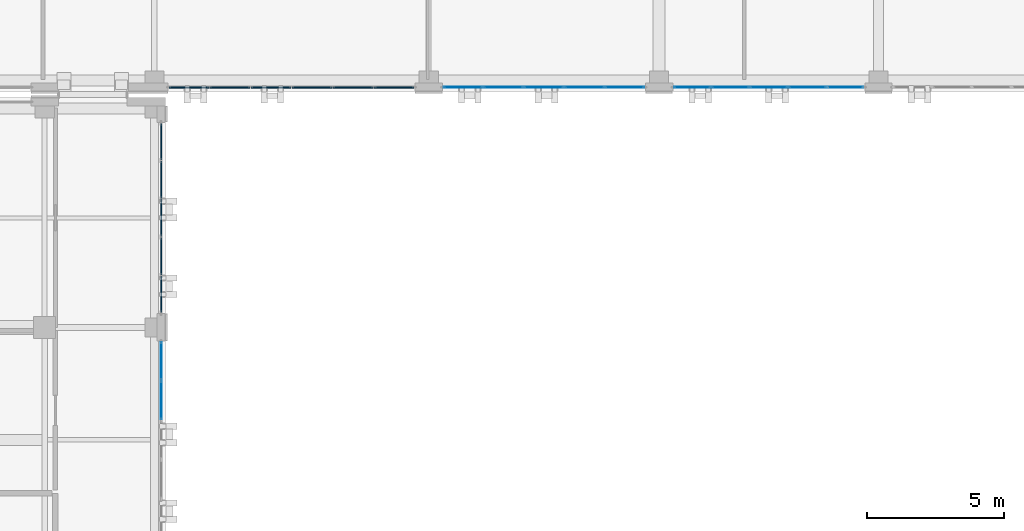
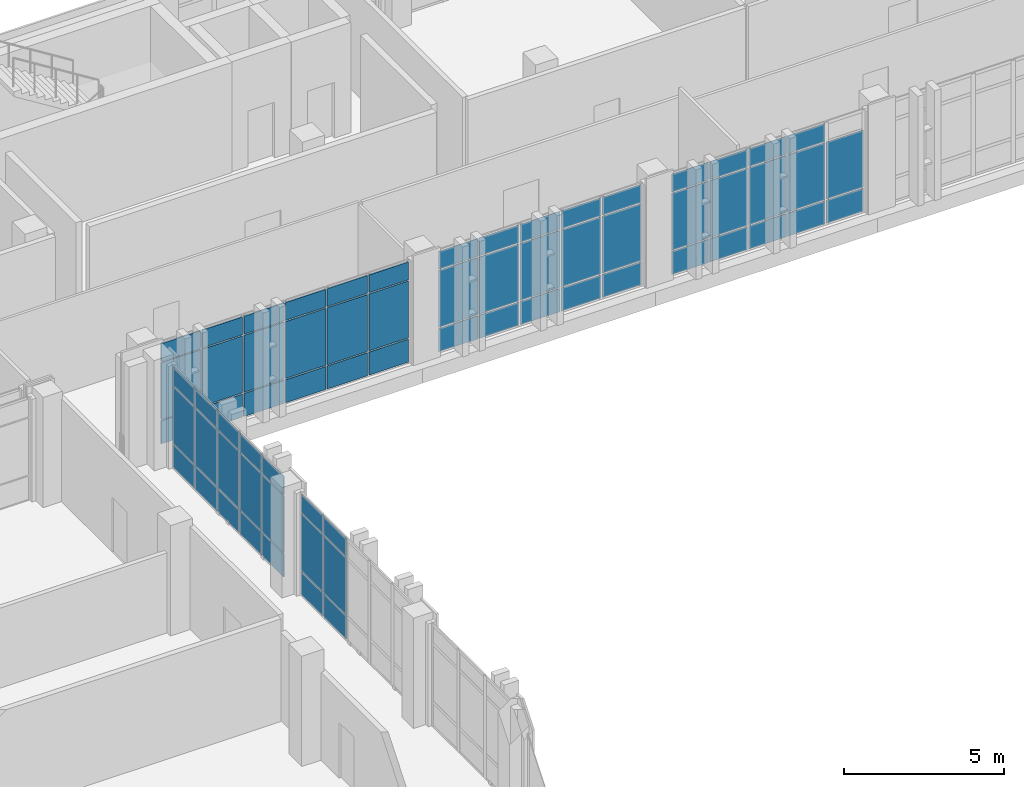
# One storey, part 144 of 193: 68 plates, 5 elements without a shape of their own.
"""IFC4 building model written with IfcOpenShell, lengths in metres."""

from ifc_helpers import new_model, si_unit, direction, frame, origin, origin_2d, place, context, subcontext, project, spatial, rectangle, extrude, material, layer, layer_set, type_object, element, aggregate, save


model = new_model("IFC4")

# Units and contexts
model_context = context("Model", 3, precision=1e-05, world=origin(), true_north=direction((0.0, 1.0)))
body_context = subcontext(model_context, "Body", "Model", "MODEL_VIEW")
ifc_project = project(units=[si_unit("LENGTHUNIT", "METRE"), si_unit("AREAUNIT", "SQUARE_METRE"), si_unit("VOLUMEUNIT", "CUBIC_METRE"), si_unit("PLANEANGLEUNIT", "RADIAN"), si_unit("MASSUNIT", "GRAM", prefix="KILO")], contexts=[model_context])

# Site, building, storey
site_placement = place(None, origin())
site = spatial("IfcSite", under=ifc_project, at=site_placement, CompositionType="ELEMENT")
building_placement = place(site_placement, origin())
building = spatial("IfcBuilding", under=site, at=building_placement, Name="Qalavern Law Courts", CompositionType="ELEMENT")
storey_placement = place(building_placement, frame((0.0, 0.0, 10.199951171875)))
storey = spatial("IfcBuildingStorey", under=building, at=storey_placement, Name="L02", CompositionType="ELEMENT", Elevation=10.199951171875)

# Curtain wall, plates
ifc_material_1 = material(Name="Anodised aluminium and insulated glazing", Category="aluminium")
ifc_layer_1 = layer(ifc_material_1, 0.166015625)
ifc_layer_set_1 = layer_set([ifc_layer_1], Name="Anodised aluminium and insulated glazing")
curtain_wall_type_1 = type_object("IfcCurtainWallType", Name="ENV-CW-LIB", PredefinedType="USERDEFINED", material=ifc_layer_set_1)
curtain_wall_1_placement = place(storey_placement, origin())
curtain_wall_1 = element("IfcCurtainWall", 1, at=curtain_wall_1_placement, inside=storey, type_object=curtain_wall_type_1, Name="V5 unitised curtain wall L02 south 2", ObjectType="UNITISED CURTAIN WALL", PredefinedType="USERDEFINED")
ifc_material_2 = material(Name="Insulated low-E acoustic glazing", Category="glass")
ifc_layer_2 = layer(ifc_material_2, 0.02392578125)
ifc_layer_set_2 = layer_set([ifc_layer_2], Name="Insulated low-E acoustic glazing")
plate_type_1 = type_object("IfcPlateType", Name="ENV-CWP-24", PredefinedType="CURTAIN_PANEL", material=ifc_layer_set_2)
plate_1_placement = place(storey_placement, frame((29.652099609375, 96.35498046875, 0.048095703125), z_axis=(0.0, 0.0, 1.0), x_axis=(1.0, 0.0, 0.0)))
plate_1 = element("IfcPlate", 2, at=plate_1_placement, type_object=plate_type_1, Name="CW-05 panel 1.1", PredefinedType="CURTAIN_PANEL", context=body_context, shape_type="SweptSolid", body=[
    extrude(rectangle(XDim=1.407958984375, YDim=0.02392578125, at=origin_2d()), origin(), (0.0, 0.0, 1.0), 0.8779296875),
])
plate_2_placement = place(storey_placement, frame((29.652099609375, 96.35498046875, 0.97412109375), z_axis=(0.0, 0.0, 1.0), x_axis=(1.0, 0.0, 0.0)))
plate_2 = element("IfcPlate", 3, at=plate_2_placement, type_object=plate_type_1, Name="CW-05 panel 1.2", PredefinedType="CURTAIN_PANEL", context=body_context, shape_type="SweptSolid", body=[
    extrude(rectangle(XDim=1.407958984375, YDim=0.02392578125, at=origin_2d()), origin(), (0.0, 0.0, 1.0), 2.1669921875),
])
plate_3_placement = place(storey_placement, frame((29.652099609375, 96.35498046875, 3.18896484375), z_axis=(0.0, 0.0, 1.0), x_axis=(1.0, 0.0, 0.0)))
plate_3 = element("IfcPlate", 4, at=plate_3_placement, type_object=plate_type_1, Name="CW-05 panel 1.3", PredefinedType="CURTAIN_PANEL", context=body_context, shape_type="SweptSolid", body=[
    extrude(rectangle(XDim=1.407958984375, YDim=0.02392578125, at=origin_2d()), origin(), (0.0, 0.0, 1.0), 0.677978515625),
])
plate_4_placement = place(storey_placement, frame((31.1201171875, 96.35498046875, 0.048095703125), z_axis=(0.0, 0.0, 1.0), x_axis=(1.0, 0.0, 0.0)))
plate_4 = element("IfcPlate", 5, at=plate_4_placement, type_object=plate_type_1, Name="CW-05 panel 2.1", PredefinedType="CURTAIN_PANEL", context=body_context, shape_type="SweptSolid", body=[
    extrude(rectangle(XDim=1.431884765625, YDim=0.02392578125, at=origin_2d()), origin(), (0.0, 0.0, 1.0), 0.8779296875),
])
plate_5_placement = place(storey_placement, frame((31.1201171875, 96.35498046875, 0.97412109375), z_axis=(0.0, 0.0, 1.0), x_axis=(1.0, 0.0, 0.0)))
plate_5 = element("IfcPlate", 6, at=plate_5_placement, type_object=plate_type_1, Name="CW-05 panel 2.2", PredefinedType="CURTAIN_PANEL", context=body_context, shape_type="SweptSolid", body=[
    extrude(rectangle(XDim=1.431884765625, YDim=0.02392578125, at=origin_2d()), origin(), (0.0, 0.0, 1.0), 2.1669921875),
])
plate_6_placement = place(storey_placement, frame((31.1201171875, 96.35498046875, 3.18896484375), z_axis=(0.0, 0.0, 1.0), x_axis=(1.0, 0.0, 0.0)))
plate_6 = element("IfcPlate", 7, at=plate_6_placement, type_object=plate_type_1, Name="CW-05 panel 2.3", PredefinedType="CURTAIN_PANEL", context=body_context, shape_type="SweptSolid", body=[
    extrude(rectangle(XDim=1.431884765625, YDim=0.02392578125, at=origin_2d()), origin(), (0.0, 0.0, 1.0), 0.677978515625),
])
plate_7_placement = place(storey_placement, frame((32.60009765625, 96.35498046875, 0.048095703125), z_axis=(0.0, 0.0, 1.0), x_axis=(1.0, 0.0, 0.0)))
plate_7 = element("IfcPlate", 8, at=plate_7_placement, type_object=plate_type_1, Name="CW-05 panel 3.1", PredefinedType="CURTAIN_PANEL", context=body_context, shape_type="SweptSolid", body=[
    extrude(rectangle(XDim=1.431884765625, YDim=0.02392578125, at=origin_2d()), origin(), (0.0, 0.0, 1.0), 0.8779296875),
])
plate_8_placement = place(storey_placement, frame((32.60009765625, 96.35498046875, 0.97412109375), z_axis=(0.0, 0.0, 1.0), x_axis=(1.0, 0.0, 0.0)))
plate_8 = element("IfcPlate", 9, at=plate_8_placement, type_object=plate_type_1, Name="CW-05 panel 3.2", PredefinedType="CURTAIN_PANEL", context=body_context, shape_type="SweptSolid", body=[
    extrude(rectangle(XDim=1.431884765625, YDim=0.02392578125, at=origin_2d()), origin(), (0.0, 0.0, 1.0), 2.1669921875),
])
plate_9_placement = place(storey_placement, frame((32.60009765625, 96.35498046875, 3.18896484375), z_axis=(0.0, 0.0, 1.0), x_axis=(1.0, 0.0, 0.0)))
plate_9 = element("IfcPlate", 10, at=plate_9_placement, type_object=plate_type_1, Name="CW-05 panel 3.3", PredefinedType="CURTAIN_PANEL", context=body_context, shape_type="SweptSolid", body=[
    extrude(rectangle(XDim=1.431884765625, YDim=0.02392578125, at=origin_2d()), origin(), (0.0, 0.0, 1.0), 0.677978515625),
])
plate_10_placement = place(storey_placement, frame((34.080078125, 96.35498046875, 0.048095703125), z_axis=(0.0, 0.0, 1.0), x_axis=(1.0, 0.0, 0.0)))
plate_10 = element("IfcPlate", 11, at=plate_10_placement, type_object=plate_type_1, Name="CW-05 panel 4.1", PredefinedType="CURTAIN_PANEL", context=body_context, shape_type="SweptSolid", body=[
    extrude(rectangle(XDim=1.431884765625, YDim=0.02392578125, at=origin_2d()), origin(), (0.0, 0.0, 1.0), 0.8779296875),
])
plate_11_placement = place(storey_placement, frame((34.080078125, 96.35498046875, 0.97412109375), z_axis=(0.0, 0.0, 1.0), x_axis=(1.0, 0.0, 0.0)))
plate_11 = element("IfcPlate", 12, at=plate_11_placement, type_object=plate_type_1, Name="CW-05 panel 4.2", PredefinedType="CURTAIN_PANEL", context=body_context, shape_type="SweptSolid", body=[
    extrude(rectangle(XDim=1.431884765625, YDim=0.02392578125, at=origin_2d()), origin(), (0.0, 0.0, 1.0), 2.1669921875),
])
plate_12_placement = place(storey_placement, frame((34.080078125, 96.35498046875, 3.18896484375), z_axis=(0.0, 0.0, 1.0), x_axis=(1.0, 0.0, 0.0)))
plate_12 = element("IfcPlate", 13, at=plate_12_placement, type_object=plate_type_1, Name="CW-05 panel 4.3", PredefinedType="CURTAIN_PANEL", context=body_context, shape_type="SweptSolid", body=[
    extrude(rectangle(XDim=1.431884765625, YDim=0.02392578125, at=origin_2d()), origin(), (0.0, 0.0, 1.0), 0.677978515625),
])
plate_13_placement = place(storey_placement, frame((35.548095703125, 96.35498046875, 0.048095703125), z_axis=(0.0, 0.0, 1.0), x_axis=(1.0, 0.0, 0.0)))
plate_13 = element("IfcPlate", 14, at=plate_13_placement, type_object=plate_type_1, Name="CW-05 panel 5.1", PredefinedType="CURTAIN_PANEL", context=body_context, shape_type="SweptSolid", body=[
    extrude(rectangle(XDim=1.407958984375, YDim=0.02392578125, at=origin_2d()), origin(), (0.0, 0.0, 1.0), 0.8779296875),
])
plate_14_placement = place(storey_placement, frame((35.548095703125, 96.35498046875, 0.97412109375), z_axis=(0.0, 0.0, 1.0), x_axis=(1.0, 0.0, 0.0)))
plate_14 = element("IfcPlate", 15, at=plate_14_placement, type_object=plate_type_1, Name="CW-05 panel 5.2", PredefinedType="CURTAIN_PANEL", context=body_context, shape_type="SweptSolid", body=[
    extrude(rectangle(XDim=1.407958984375, YDim=0.02392578125, at=origin_2d()), origin(), (0.0, 0.0, 1.0), 2.1669921875),
])
plate_15_placement = place(storey_placement, frame((35.548095703125, 96.35498046875, 3.18896484375), z_axis=(0.0, 0.0, 1.0), x_axis=(1.0, 0.0, 0.0)))
plate_15 = element("IfcPlate", 16, at=plate_15_placement, type_object=plate_type_1, Name="CW-05 panel 5.3", PredefinedType="CURTAIN_PANEL", context=body_context, shape_type="SweptSolid", body=[
    extrude(rectangle(XDim=1.407958984375, YDim=0.02392578125, at=origin_2d()), origin(), (0.0, 0.0, 1.0), 0.677978515625),
])
aggregate(curtain_wall_1, [plate_1, plate_2, plate_3, plate_4, plate_5, plate_6, plate_7, plate_8, plate_9, plate_10, plate_11, plate_12, plate_13, plate_14, plate_15])

curtain_wall_2_placement = place(storey_placement, origin())
curtain_wall_2 = element("IfcCurtainWall", 17, at=curtain_wall_2_placement, inside=storey, type_object=curtain_wall_type_1, Name="V5 unitised curtain wall L02 south 3", ObjectType="UNITISED CURTAIN WALL", PredefinedType="USERDEFINED")
ifc_layer_3 = layer(ifc_material_2, 0.028076171875)
ifc_layer_set_3 = layer_set([ifc_layer_3], Name="Insulated low-E acoustic glazing")
plate_type_2 = type_object("IfcPlateType", Name="ENV-CWP-28", PredefinedType="CURTAIN_PANEL", material=ifc_layer_set_3)
plate_16_placement = place(storey_placement, frame((38.011962890625, 96.35498046875, 0.048095703125), z_axis=(0.0, 0.0, 1.0), x_axis=(1.0, 0.0, 0.0)))
plate_16 = element("IfcPlate", 18, at=plate_16_placement, type_object=plate_type_2, Name="CW-05 panel 1.1", PredefinedType="CURTAIN_PANEL", context=body_context, shape_type="SweptSolid", body=[
    extrude(rectangle(XDim=1.327880859375, YDim=0.028076171875, at=origin_2d()), origin(), (0.0, 0.0, 1.0), 0.8779296875),
])
plate_17_placement = place(storey_placement, frame((38.011962890625, 96.35498046875, 0.97412109375), z_axis=(0.0, 0.0, 1.0), x_axis=(1.0, 0.0, 0.0)))
plate_17 = element("IfcPlate", 19, at=plate_17_placement, type_object=plate_type_2, Name="CW-05 panel 1.2", PredefinedType="CURTAIN_PANEL", context=body_context, shape_type="SweptSolid", body=[
    extrude(rectangle(XDim=1.327880859375, YDim=0.028076171875, at=origin_2d()), origin(), (0.0, 0.0, 1.0), 2.1669921875),
])
plate_18_placement = place(storey_placement, frame((38.011962890625, 96.35498046875, 3.18896484375), z_axis=(0.0, 0.0, 1.0), x_axis=(1.0, 0.0, 0.0)))
plate_18 = element("IfcPlate", 20, at=plate_18_placement, type_object=plate_type_2, Name="CW-05 panel 1.3", PredefinedType="CURTAIN_PANEL", context=body_context, shape_type="SweptSolid", body=[
    extrude(rectangle(XDim=1.327880859375, YDim=0.028076171875, at=origin_2d()), origin(), (0.0, 0.0, 1.0), 0.677978515625),
])
plate_19_placement = place(storey_placement, frame((39.39990234375, 96.35498046875, 0.048095703125), z_axis=(0.0, 0.0, 1.0), x_axis=(1.0, 0.0, 0.0)))
plate_19 = element("IfcPlate", 21, at=plate_19_placement, type_object=plate_type_2, Name="CW-05 panel 2.1", PredefinedType="CURTAIN_PANEL", context=body_context, shape_type="SweptSolid", body=[
    extrude(rectangle(XDim=1.35205078125, YDim=0.028076171875, at=origin_2d()), origin(), (0.0, 0.0, 1.0), 0.8779296875),
])
plate_20_placement = place(storey_placement, frame((39.39990234375, 96.35498046875, 0.97412109375), z_axis=(0.0, 0.0, 1.0), x_axis=(1.0, 0.0, 0.0)))
plate_20 = element("IfcPlate", 22, at=plate_20_placement, type_object=plate_type_2, Name="CW-05 panel 2.2", PredefinedType="CURTAIN_PANEL", context=body_context, shape_type="SweptSolid", body=[
    extrude(rectangle(XDim=1.35205078125, YDim=0.028076171875, at=origin_2d()), origin(), (0.0, 0.0, 1.0), 2.1669921875),
])
plate_21_placement = place(storey_placement, frame((39.39990234375, 96.35498046875, 3.18896484375), z_axis=(0.0, 0.0, 1.0), x_axis=(1.0, 0.0, 0.0)))
plate_21 = element("IfcPlate", 23, at=plate_21_placement, type_object=plate_type_2, Name="CW-05 panel 2.3", PredefinedType="CURTAIN_PANEL", context=body_context, shape_type="SweptSolid", body=[
    extrude(rectangle(XDim=1.35205078125, YDim=0.028076171875, at=origin_2d()), origin(), (0.0, 0.0, 1.0), 0.677978515625),
])
plate_22_placement = place(storey_placement, frame((40.800048828125, 96.35498046875, 0.048095703125), z_axis=(0.0, 0.0, 1.0), x_axis=(1.0, 0.0, 0.0)))
plate_22 = element("IfcPlate", 24, at=plate_22_placement, type_object=plate_type_2, Name="CW-05 panel 3.1", PredefinedType="CURTAIN_PANEL", context=body_context, shape_type="SweptSolid", body=[
    extrude(rectangle(XDim=1.35205078125, YDim=0.028076171875, at=origin_2d()), origin(), (0.0, 0.0, 1.0), 0.8779296875),
])
plate_23_placement = place(storey_placement, frame((40.800048828125, 96.35498046875, 0.97412109375), z_axis=(0.0, 0.0, 1.0), x_axis=(1.0, 0.0, 0.0)))
plate_23 = element("IfcPlate", 25, at=plate_23_placement, type_object=plate_type_2, Name="CW-05 panel 3.2", PredefinedType="CURTAIN_PANEL", context=body_context, shape_type="SweptSolid", body=[
    extrude(rectangle(XDim=1.35205078125, YDim=0.028076171875, at=origin_2d()), origin(), (0.0, 0.0, 1.0), 2.1669921875),
])
plate_24_placement = place(storey_placement, frame((40.800048828125, 96.35498046875, 3.18896484375), z_axis=(0.0, 0.0, 1.0), x_axis=(1.0, 0.0, 0.0)))
plate_24 = element("IfcPlate", 26, at=plate_24_placement, type_object=plate_type_2, Name="CW-05 panel 3.3", PredefinedType="CURTAIN_PANEL", context=body_context, shape_type="SweptSolid", body=[
    extrude(rectangle(XDim=1.35205078125, YDim=0.028076171875, at=origin_2d()), origin(), (0.0, 0.0, 1.0), 0.677978515625),
])
plate_25_placement = place(storey_placement, frame((42.199951171875, 96.35498046875, 0.048095703125), z_axis=(0.0, 0.0, 1.0), x_axis=(1.0, 0.0, 0.0)))
plate_25 = element("IfcPlate", 27, at=plate_25_placement, type_object=plate_type_2, Name="CW-05 panel 4.1", PredefinedType="CURTAIN_PANEL", context=body_context, shape_type="SweptSolid", body=[
    extrude(rectangle(XDim=1.35205078125, YDim=0.028076171875, at=origin_2d()), origin(), (0.0, 0.0, 1.0), 0.8779296875),
])
plate_26_placement = place(storey_placement, frame((42.199951171875, 96.35498046875, 0.97412109375), z_axis=(0.0, 0.0, 1.0), x_axis=(1.0, 0.0, 0.0)))
plate_26 = element("IfcPlate", 28, at=plate_26_placement, type_object=plate_type_2, Name="CW-05 panel 4.2", PredefinedType="CURTAIN_PANEL", context=body_context, shape_type="SweptSolid", body=[
    extrude(rectangle(XDim=1.35205078125, YDim=0.028076171875, at=origin_2d()), origin(), (0.0, 0.0, 1.0), 2.1669921875),
])
plate_27_placement = place(storey_placement, frame((42.199951171875, 96.35498046875, 3.18896484375), z_axis=(0.0, 0.0, 1.0), x_axis=(1.0, 0.0, 0.0)))
plate_27 = element("IfcPlate", 29, at=plate_27_placement, type_object=plate_type_2, Name="CW-05 panel 4.3", PredefinedType="CURTAIN_PANEL", context=body_context, shape_type="SweptSolid", body=[
    extrude(rectangle(XDim=1.35205078125, YDim=0.028076171875, at=origin_2d()), origin(), (0.0, 0.0, 1.0), 0.677978515625),
])
plate_28_placement = place(storey_placement, frame((43.587890625, 96.35498046875, 0.048095703125), z_axis=(0.0, 0.0, 1.0), x_axis=(1.0, 0.0, 0.0)))
plate_28 = element("IfcPlate", 30, at=plate_28_placement, type_object=plate_type_2, Name="CW-05 panel 5.1", PredefinedType="CURTAIN_PANEL", context=body_context, shape_type="SweptSolid", body=[
    extrude(rectangle(XDim=1.327880859375, YDim=0.028076171875, at=origin_2d()), origin(), (0.0, 0.0, 1.0), 0.8779296875),
])
plate_29_placement = place(storey_placement, frame((43.587890625, 96.35498046875, 0.97412109375), z_axis=(0.0, 0.0, 1.0), x_axis=(1.0, 0.0, 0.0)))
plate_29 = element("IfcPlate", 31, at=plate_29_placement, type_object=plate_type_2, Name="CW-05 panel 5.2", PredefinedType="CURTAIN_PANEL", context=body_context, shape_type="SweptSolid", body=[
    extrude(rectangle(XDim=1.327880859375, YDim=0.028076171875, at=origin_2d()), origin(), (0.0, 0.0, 1.0), 2.1669921875),
])
aggregate(curtain_wall_2, [plate_16, plate_17, plate_18, plate_19, plate_20, plate_21, plate_22, plate_23, plate_24, plate_25, plate_26, plate_27, plate_28, plate_29])

ifc_layer_4 = layer(ifc_material_1, 0.172119140625)
ifc_layer_set_4 = layer_set([ifc_layer_4], Name="Anodised aluminium and insulated glazing")
curtain_wall_type_2 = type_object("IfcCurtainWallType", Name="ENV-CW-COURT", PredefinedType="USERDEFINED", material=ifc_layer_set_4)
curtain_wall_3_placement = place(storey_placement, origin())
curtain_wall_3 = element("IfcCurtainWall", 32, at=curtain_wall_3_placement, inside=storey, type_object=curtain_wall_type_2, Name="V3 unitised curtain wall L02 east 6", ObjectType="UNITISED CURTAIN WALL", PredefinedType="USERDEFINED")
ifc_layer_5 = layer(ifc_material_2, 0.035888671875)
ifc_layer_set_5 = layer_set([ifc_layer_5], Name="Insulated low-E acoustic glazing")
plate_type_3 = type_object("IfcPlateType", Name="ENV-CWP-36", PredefinedType="CURTAIN_PANEL", material=ifc_layer_set_5)
plate_30_placement = place(storey_placement, frame((18.64501953125, 84.93994140625, 0.048095703125), z_axis=(0.0, 0.0, 1.0), x_axis=(0.0, 1.0, 0.0)))
plate_30 = element("IfcPlate", 33, at=plate_30_placement, type_object=plate_type_3, Name="CW-03 panel 4.1", PredefinedType="CURTAIN_PANEL", context=body_context, shape_type="SweptSolid", body=[
    extrude(rectangle(XDim=1.39208984375, YDim=0.035888671875, at=origin_2d()), origin(), (0.0, 0.0, 1.0), 0.8779296875),
])
plate_31_placement = place(storey_placement, frame((18.64501953125, 84.93994140625, 0.97412109375), z_axis=(0.0, 0.0, 1.0), x_axis=(0.0, 1.0, 0.0)))
plate_31 = element("IfcPlate", 34, at=plate_31_placement, type_object=plate_type_3, Name="CW-03 panel 4.2", PredefinedType="CURTAIN_PANEL", context=body_context, shape_type="SweptSolid", body=[
    extrude(rectangle(XDim=1.39208984375, YDim=0.035888671875, at=origin_2d()), origin(), (0.0, 0.0, 1.0), 2.1669921875),
])
plate_32_placement = place(storey_placement, frame((18.64501953125, 84.93994140625, 3.18896484375), z_axis=(0.0, 0.0, 1.0), x_axis=(0.0, 1.0, 0.0)))
plate_32 = element("IfcPlate", 35, at=plate_32_placement, type_object=plate_type_3, Name="CW-03 panel 4.3", PredefinedType="CURTAIN_PANEL", context=body_context, shape_type="SweptSolid", body=[
    extrude(rectangle(XDim=1.39208984375, YDim=0.035888671875, at=origin_2d()), origin(), (0.0, 0.0, 1.0), 0.677978515625),
])
plate_33_placement = place(storey_placement, frame((18.64501953125, 86.367919921875, 0.048095703125), z_axis=(0.0, 0.0, 1.0), x_axis=(0.0, 1.0, 0.0)))
plate_33 = element("IfcPlate", 36, at=plate_33_placement, type_object=plate_type_3, Name="CW-03 panel 5.1", PredefinedType="CURTAIN_PANEL", context=body_context, shape_type="SweptSolid", body=[
    extrude(rectangle(XDim=1.367919921875, YDim=0.035888671875, at=origin_2d()), origin(), (0.0, 0.0, 1.0), 0.8779296875),
])
plate_34_placement = place(storey_placement, frame((18.64501953125, 86.367919921875, 0.97412109375), z_axis=(0.0, 0.0, 1.0), x_axis=(0.0, 1.0, 0.0)))
plate_34 = element("IfcPlate", 37, at=plate_34_placement, type_object=plate_type_3, Name="CW-03 panel 5.2", PredefinedType="CURTAIN_PANEL", context=body_context, shape_type="SweptSolid", body=[
    extrude(rectangle(XDim=1.367919921875, YDim=0.035888671875, at=origin_2d()), origin(), (0.0, 0.0, 1.0), 2.1669921875),
])
plate_35_placement = place(storey_placement, frame((18.64501953125, 86.367919921875, 3.18896484375), z_axis=(0.0, 0.0, 1.0), x_axis=(0.0, 1.0, 0.0)))
plate_35 = element("IfcPlate", 38, at=plate_35_placement, type_object=plate_type_3, Name="CW-03 panel 5.3", PredefinedType="CURTAIN_PANEL", context=body_context, shape_type="SweptSolid", body=[
    extrude(rectangle(XDim=1.367919921875, YDim=0.035888671875, at=origin_2d()), origin(), (0.0, 0.0, 1.0), 0.677978515625),
])
aggregate(curtain_wall_3, [plate_30, plate_31, plate_32, plate_33, plate_34, plate_35])

curtain_wall_4_placement = place(storey_placement, origin())
curtain_wall_4 = element("IfcCurtainWall", 39, at=curtain_wall_4_placement, inside=storey, type_object=curtain_wall_type_2, Name="V3 unitised curtain wall L02 east 7", ObjectType="UNITISED CURTAIN WALL", PredefinedType="USERDEFINED")
ifc_layer_6 = layer(ifc_material_2, 0.0400390625)
ifc_layer_set_6 = layer_set([ifc_layer_6], Name="Insulated low-E acoustic glazing")
plate_type_4 = type_object("IfcPlateType", Name="ENV-CWP-40", PredefinedType="CURTAIN_PANEL", material=ifc_layer_set_6)
plate_36_placement = place(storey_placement, frame((18.64501953125, 88.81005859375, 0.048095703125), z_axis=(0.0, 0.0, 1.0), x_axis=(0.0, 1.0, 0.0)))
plate_36 = element("IfcPlate", 40, at=plate_36_placement, type_object=plate_type_4, Name="CW-03 panel 1.1", PredefinedType="CURTAIN_PANEL", context=body_context, shape_type="SweptSolid", body=[
    extrude(rectangle(XDim=1.323974609375, YDim=0.0400390625, at=origin_2d()), origin(), (0.0, 0.0, 1.0), 0.8779296875),
])
plate_37_placement = place(storey_placement, frame((18.64501953125, 88.81005859375, 0.97412109375), z_axis=(0.0, 0.0, 1.0), x_axis=(0.0, 1.0, 0.0)))
plate_37 = element("IfcPlate", 41, at=plate_37_placement, type_object=plate_type_4, Name="CW-03 panel 1.2", PredefinedType="CURTAIN_PANEL", context=body_context, shape_type="SweptSolid", body=[
    extrude(rectangle(XDim=1.323974609375, YDim=0.0400390625, at=origin_2d()), origin(), (0.0, 0.0, 1.0), 2.1669921875),
])
plate_38_placement = place(storey_placement, frame((18.64501953125, 88.81005859375, 3.18896484375), z_axis=(0.0, 0.0, 1.0), x_axis=(0.0, 1.0, 0.0)))
plate_38 = element("IfcPlate", 42, at=plate_38_placement, type_object=plate_type_4, Name="CW-03 panel 1.3", PredefinedType="CURTAIN_PANEL", context=body_context, shape_type="SweptSolid", body=[
    extrude(rectangle(XDim=1.323974609375, YDim=0.0400390625, at=origin_2d()), origin(), (0.0, 0.0, 1.0), 0.677978515625),
])
plate_39_placement = place(storey_placement, frame((18.64501953125, 90.194091796875, 0.048095703125), z_axis=(0.0, 0.0, 1.0), x_axis=(0.0, 1.0, 0.0)))
plate_39 = element("IfcPlate", 43, at=plate_39_placement, type_object=plate_type_4, Name="CW-03 panel 2.1", PredefinedType="CURTAIN_PANEL", context=body_context, shape_type="SweptSolid", body=[
    extrude(rectangle(XDim=1.347900390625, YDim=0.0400390625, at=origin_2d()), origin(), (0.0, 0.0, 1.0), 0.8779296875),
])
plate_40_placement = place(storey_placement, frame((18.64501953125, 90.194091796875, 0.97412109375), z_axis=(0.0, 0.0, 1.0), x_axis=(0.0, 1.0, 0.0)))
plate_40 = element("IfcPlate", 44, at=plate_40_placement, type_object=plate_type_4, Name="CW-03 panel 2.2", PredefinedType="CURTAIN_PANEL", context=body_context, shape_type="SweptSolid", body=[
    extrude(rectangle(XDim=1.347900390625, YDim=0.0400390625, at=origin_2d()), origin(), (0.0, 0.0, 1.0), 2.1669921875),
])
plate_41_placement = place(storey_placement, frame((18.64501953125, 90.194091796875, 3.18896484375), z_axis=(0.0, 0.0, 1.0), x_axis=(0.0, 1.0, 0.0)))
plate_41 = element("IfcPlate", 45, at=plate_41_placement, type_object=plate_type_4, Name="CW-03 panel 2.3", PredefinedType="CURTAIN_PANEL", context=body_context, shape_type="SweptSolid", body=[
    extrude(rectangle(XDim=1.347900390625, YDim=0.0400390625, at=origin_2d()), origin(), (0.0, 0.0, 1.0), 0.677978515625),
])
plate_42_placement = place(storey_placement, frame((18.64501953125, 91.590087890625, 0.048095703125), z_axis=(0.0, 0.0, 1.0), x_axis=(0.0, 1.0, 0.0)))
plate_42 = element("IfcPlate", 46, at=plate_42_placement, type_object=plate_type_4, Name="CW-03 panel 3.1", PredefinedType="CURTAIN_PANEL", context=body_context, shape_type="SweptSolid", body=[
    extrude(rectangle(XDim=1.347900390625, YDim=0.0400390625, at=origin_2d()), origin(), (0.0, 0.0, 1.0), 0.8779296875),
])
plate_43_placement = place(storey_placement, frame((18.64501953125, 91.590087890625, 0.97412109375), z_axis=(0.0, 0.0, 1.0), x_axis=(0.0, 1.0, 0.0)))
plate_43 = element("IfcPlate", 47, at=plate_43_placement, type_object=plate_type_4, Name="CW-03 panel 3.2", PredefinedType="CURTAIN_PANEL", context=body_context, shape_type="SweptSolid", body=[
    extrude(rectangle(XDim=1.347900390625, YDim=0.0400390625, at=origin_2d()), origin(), (0.0, 0.0, 1.0), 2.1669921875),
])
plate_44_placement = place(storey_placement, frame((18.64501953125, 91.590087890625, 3.18896484375), z_axis=(0.0, 0.0, 1.0), x_axis=(0.0, 1.0, 0.0)))
plate_44 = element("IfcPlate", 48, at=plate_44_placement, type_object=plate_type_4, Name="CW-03 panel 3.3", PredefinedType="CURTAIN_PANEL", context=body_context, shape_type="SweptSolid", body=[
    extrude(rectangle(XDim=1.347900390625, YDim=0.0400390625, at=origin_2d()), origin(), (0.0, 0.0, 1.0), 0.677978515625),
])
plate_45_placement = place(storey_placement, frame((18.64501953125, 92.986083984375, 0.048095703125), z_axis=(0.0, 0.0, 1.0), x_axis=(0.0, 1.0, 0.0)))
plate_45 = element("IfcPlate", 49, at=plate_45_placement, type_object=plate_type_4, Name="CW-03 panel 4.1", PredefinedType="CURTAIN_PANEL", context=body_context, shape_type="SweptSolid", body=[
    extrude(rectangle(XDim=1.347900390625, YDim=0.0400390625, at=origin_2d()), origin(), (0.0, 0.0, 1.0), 0.8779296875),
])
plate_46_placement = place(storey_placement, frame((18.64501953125, 92.986083984375, 0.97412109375), z_axis=(0.0, 0.0, 1.0), x_axis=(0.0, 1.0, 0.0)))
plate_46 = element("IfcPlate", 50, at=plate_46_placement, type_object=plate_type_4, Name="CW-03 panel 4.2", PredefinedType="CURTAIN_PANEL", context=body_context, shape_type="SweptSolid", body=[
    extrude(rectangle(XDim=1.347900390625, YDim=0.0400390625, at=origin_2d()), origin(), (0.0, 0.0, 1.0), 2.1669921875),
])
plate_47_placement = place(storey_placement, frame((18.64501953125, 92.986083984375, 3.18896484375), z_axis=(0.0, 0.0, 1.0), x_axis=(0.0, 1.0, 0.0)))
plate_47 = element("IfcPlate", 51, at=plate_47_placement, type_object=plate_type_4, Name="CW-03 panel 4.3", PredefinedType="CURTAIN_PANEL", context=body_context, shape_type="SweptSolid", body=[
    extrude(rectangle(XDim=1.347900390625, YDim=0.0400390625, at=origin_2d()), origin(), (0.0, 0.0, 1.0), 0.677978515625),
])
plate_48_placement = place(storey_placement, frame((18.64501953125, 94.3701171875, 0.048095703125), z_axis=(0.0, 0.0, 1.0), x_axis=(0.0, 1.0, 0.0)))
plate_48 = element("IfcPlate", 52, at=plate_48_placement, type_object=plate_type_4, Name="CW-03 panel 5.1", PredefinedType="CURTAIN_PANEL", context=body_context, shape_type="SweptSolid", body=[
    extrude(rectangle(XDim=1.323974609375, YDim=0.0400390625, at=origin_2d()), origin(), (0.0, 0.0, 1.0), 0.8779296875),
])
plate_49_placement = place(storey_placement, frame((18.64501953125, 94.3701171875, 0.97412109375), z_axis=(0.0, 0.0, 1.0), x_axis=(0.0, 1.0, 0.0)))
plate_49 = element("IfcPlate", 53, at=plate_49_placement, type_object=plate_type_4, Name="CW-03 panel 5.2", PredefinedType="CURTAIN_PANEL", context=body_context, shape_type="SweptSolid", body=[
    extrude(rectangle(XDim=1.323974609375, YDim=0.0400390625, at=origin_2d()), origin(), (0.0, 0.0, 1.0), 2.1669921875),
])
plate_50_placement = place(storey_placement, frame((18.64501953125, 94.3701171875, 3.18896484375), z_axis=(0.0, 0.0, 1.0), x_axis=(0.0, 1.0, 0.0)))
plate_50 = element("IfcPlate", 54, at=plate_50_placement, type_object=plate_type_4, Name="CW-03 panel 5.3", PredefinedType="CURTAIN_PANEL", context=body_context, shape_type="SweptSolid", body=[
    extrude(rectangle(XDim=1.323974609375, YDim=0.0400390625, at=origin_2d()), origin(), (0.0, 0.0, 1.0), 0.677978515625),
])
aggregate(curtain_wall_4, [plate_36, plate_37, plate_38, plate_39, plate_40, plate_41, plate_42, plate_43, plate_44, plate_45, plate_46, plate_47, plate_48, plate_49, plate_50])

curtain_wall_5_placement = place(storey_placement, origin())
curtain_wall_5 = element("IfcCurtainWall", 55, at=curtain_wall_5_placement, inside=storey, type_object=curtain_wall_type_1, Name="V5 unitised curtain wall L02 south 1", ObjectType="UNITISED CURTAIN WALL", PredefinedType="USERDEFINED")
ifc_layer_7 = layer(ifc_material_2, 0.052001953125)
ifc_layer_set_7 = layer_set([ifc_layer_7], Name="Insulated low-E acoustic glazing")
plate_type_5 = type_object("IfcPlateType", Name="ENV-CWP-52", PredefinedType="CURTAIN_PANEL", material=ifc_layer_set_7)
plate_51_placement = place(storey_placement, frame((19.662109375, 96.35498046875, 0.048095703125), z_axis=(0.0, 0.0, 1.0), x_axis=(1.0, 0.0, 0.0)))
plate_51 = element("IfcPlate", 56, at=plate_51_placement, type_object=plate_type_5, Name="CW-05 panel 1.1", PredefinedType="CURTAIN_PANEL", context=body_context, shape_type="SweptSolid", body=[
    extrude(rectangle(XDim=1.427978515625, YDim=0.052001953125, at=origin_2d()), origin(), (0.0, 0.0, 1.0), 0.8779296875),
])
plate_52_placement = place(storey_placement, frame((19.662109375, 96.35498046875, 0.97412109375), z_axis=(0.0, 0.0, 1.0), x_axis=(1.0, 0.0, 0.0)))
plate_52 = element("IfcPlate", 57, at=plate_52_placement, type_object=plate_type_5, Name="CW-05 panel 1.2", PredefinedType="CURTAIN_PANEL", context=body_context, shape_type="SweptSolid", body=[
    extrude(rectangle(XDim=1.427978515625, YDim=0.052001953125, at=origin_2d()), origin(), (0.0, 0.0, 1.0), 2.1669921875),
])
plate_53_placement = place(storey_placement, frame((19.662109375, 96.35498046875, 3.18896484375), z_axis=(0.0, 0.0, 1.0), x_axis=(1.0, 0.0, 0.0)))
plate_53 = element("IfcPlate", 58, at=plate_53_placement, type_object=plate_type_5, Name="CW-05 panel 1.3", PredefinedType="CURTAIN_PANEL", context=body_context, shape_type="SweptSolid", body=[
    extrude(rectangle(XDim=1.427978515625, YDim=0.052001953125, at=origin_2d()), origin(), (0.0, 0.0, 1.0), 0.677978515625),
])
plate_54_placement = place(storey_placement, frame((21.14990234375, 96.35498046875, 0.048095703125), z_axis=(0.0, 0.0, 1.0), x_axis=(1.0, 0.0, 0.0)))
plate_54 = element("IfcPlate", 59, at=plate_54_placement, type_object=plate_type_5, Name="CW-05 panel 2.1", PredefinedType="CURTAIN_PANEL", context=body_context, shape_type="SweptSolid", body=[
    extrude(rectangle(XDim=1.451904296875, YDim=0.052001953125, at=origin_2d()), origin(), (0.0, 0.0, 1.0), 0.8779296875),
])
plate_55_placement = place(storey_placement, frame((21.14990234375, 96.35498046875, 0.97412109375), z_axis=(0.0, 0.0, 1.0), x_axis=(1.0, 0.0, 0.0)))
plate_55 = element("IfcPlate", 60, at=plate_55_placement, type_object=plate_type_5, Name="CW-05 panel 2.2", PredefinedType="CURTAIN_PANEL", context=body_context, shape_type="SweptSolid", body=[
    extrude(rectangle(XDim=1.451904296875, YDim=0.052001953125, at=origin_2d()), origin(), (0.0, 0.0, 1.0), 2.1669921875),
])
plate_56_placement = place(storey_placement, frame((21.14990234375, 96.35498046875, 3.18896484375), z_axis=(0.0, 0.0, 1.0), x_axis=(1.0, 0.0, 0.0)))
plate_56 = element("IfcPlate", 61, at=plate_56_placement, type_object=plate_type_5, Name="CW-05 panel 2.3", PredefinedType="CURTAIN_PANEL", context=body_context, shape_type="SweptSolid", body=[
    extrude(rectangle(XDim=1.451904296875, YDim=0.052001953125, at=origin_2d()), origin(), (0.0, 0.0, 1.0), 0.677978515625),
])
plate_57_placement = place(storey_placement, frame((22.64990234375, 96.35498046875, 0.048095703125), z_axis=(0.0, 0.0, 1.0), x_axis=(1.0, 0.0, 0.0)))
plate_57 = element("IfcPlate", 62, at=plate_57_placement, type_object=plate_type_5, Name="CW-05 panel 3.1", PredefinedType="CURTAIN_PANEL", context=body_context, shape_type="SweptSolid", body=[
    extrude(rectangle(XDim=1.451904296875, YDim=0.052001953125, at=origin_2d()), origin(), (0.0, 0.0, 1.0), 0.8779296875),
])
plate_58_placement = place(storey_placement, frame((22.64990234375, 96.35498046875, 0.97412109375), z_axis=(0.0, 0.0, 1.0), x_axis=(1.0, 0.0, 0.0)))
plate_58 = element("IfcPlate", 63, at=plate_58_placement, type_object=plate_type_5, Name="CW-05 panel 3.2", PredefinedType="CURTAIN_PANEL", context=body_context, shape_type="SweptSolid", body=[
    extrude(rectangle(XDim=1.451904296875, YDim=0.052001953125, at=origin_2d()), origin(), (0.0, 0.0, 1.0), 2.1669921875),
])
plate_59_placement = place(storey_placement, frame((22.64990234375, 96.35498046875, 3.18896484375), z_axis=(0.0, 0.0, 1.0), x_axis=(1.0, 0.0, 0.0)))
plate_59 = element("IfcPlate", 64, at=plate_59_placement, type_object=plate_type_5, Name="CW-05 panel 3.3", PredefinedType="CURTAIN_PANEL", context=body_context, shape_type="SweptSolid", body=[
    extrude(rectangle(XDim=1.451904296875, YDim=0.052001953125, at=origin_2d()), origin(), (0.0, 0.0, 1.0), 0.677978515625),
])
plate_60_placement = place(storey_placement, frame((24.14990234375, 96.35498046875, 0.048095703125), z_axis=(0.0, 0.0, 1.0), x_axis=(1.0, 0.0, 0.0)))
plate_60 = element("IfcPlate", 65, at=plate_60_placement, type_object=plate_type_5, Name="CW-05 panel 4.1", PredefinedType="CURTAIN_PANEL", context=body_context, shape_type="SweptSolid", body=[
    extrude(rectangle(XDim=1.451904296875, YDim=0.052001953125, at=origin_2d()), origin(), (0.0, 0.0, 1.0), 0.8779296875),
])
plate_61_placement = place(storey_placement, frame((24.14990234375, 96.35498046875, 0.97412109375), z_axis=(0.0, 0.0, 1.0), x_axis=(1.0, 0.0, 0.0)))
plate_61 = element("IfcPlate", 66, at=plate_61_placement, type_object=plate_type_5, Name="CW-05 panel 4.2", PredefinedType="CURTAIN_PANEL", context=body_context, shape_type="SweptSolid", body=[
    extrude(rectangle(XDim=1.451904296875, YDim=0.052001953125, at=origin_2d()), origin(), (0.0, 0.0, 1.0), 2.1669921875),
])
plate_62_placement = place(storey_placement, frame((24.14990234375, 96.35498046875, 3.18896484375), z_axis=(0.0, 0.0, 1.0), x_axis=(1.0, 0.0, 0.0)))
plate_62 = element("IfcPlate", 67, at=plate_62_placement, type_object=plate_type_5, Name="CW-05 panel 4.3", PredefinedType="CURTAIN_PANEL", context=body_context, shape_type="SweptSolid", body=[
    extrude(rectangle(XDim=1.451904296875, YDim=0.052001953125, at=origin_2d()), origin(), (0.0, 0.0, 1.0), 0.677978515625),
])
plate_63_placement = place(storey_placement, frame((25.64990234375, 96.35498046875, 0.048095703125), z_axis=(0.0, 0.0, 1.0), x_axis=(1.0, 0.0, 0.0)))
plate_63 = element("IfcPlate", 68, at=plate_63_placement, type_object=plate_type_5, Name="CW-05 panel 5.1", PredefinedType="CURTAIN_PANEL", context=body_context, shape_type="SweptSolid", body=[
    extrude(rectangle(XDim=1.451904296875, YDim=0.052001953125, at=origin_2d()), origin(), (0.0, 0.0, 1.0), 0.8779296875),
])
plate_64_placement = place(storey_placement, frame((25.64990234375, 96.35498046875, 0.97412109375), z_axis=(0.0, 0.0, 1.0), x_axis=(1.0, 0.0, 0.0)))
plate_64 = element("IfcPlate", 69, at=plate_64_placement, type_object=plate_type_5, Name="CW-05 panel 5.2", PredefinedType="CURTAIN_PANEL", context=body_context, shape_type="SweptSolid", body=[
    extrude(rectangle(XDim=1.451904296875, YDim=0.052001953125, at=origin_2d()), origin(), (0.0, 0.0, 1.0), 2.1669921875),
])
plate_65_placement = place(storey_placement, frame((25.64990234375, 96.35498046875, 3.18896484375), z_axis=(0.0, 0.0, 1.0), x_axis=(1.0, 0.0, 0.0)))
plate_65 = element("IfcPlate", 70, at=plate_65_placement, type_object=plate_type_5, Name="CW-05 panel 5.3", PredefinedType="CURTAIN_PANEL", context=body_context, shape_type="SweptSolid", body=[
    extrude(rectangle(XDim=1.451904296875, YDim=0.052001953125, at=origin_2d()), origin(), (0.0, 0.0, 1.0), 0.677978515625),
])
plate_66_placement = place(storey_placement, frame((27.137939453125, 96.35498046875, 0.048095703125), z_axis=(0.0, 0.0, 1.0), x_axis=(1.0, 0.0, 0.0)))
plate_66 = element("IfcPlate", 71, at=plate_66_placement, type_object=plate_type_5, Name="CW-05 panel 6.1", PredefinedType="CURTAIN_PANEL", context=body_context, shape_type="SweptSolid", body=[
    extrude(rectangle(XDim=1.427978515625, YDim=0.052001953125, at=origin_2d()), origin(), (0.0, 0.0, 1.0), 0.8779296875),
])
plate_67_placement = place(storey_placement, frame((27.137939453125, 96.35498046875, 0.97412109375), z_axis=(0.0, 0.0, 1.0), x_axis=(1.0, 0.0, 0.0)))
plate_67 = element("IfcPlate", 72, at=plate_67_placement, type_object=plate_type_5, Name="CW-05 panel 6.2", PredefinedType="CURTAIN_PANEL", context=body_context, shape_type="SweptSolid", body=[
    extrude(rectangle(XDim=1.427978515625, YDim=0.052001953125, at=origin_2d()), origin(), (0.0, 0.0, 1.0), 2.1669921875),
])
plate_68_placement = place(storey_placement, frame((27.137939453125, 96.35498046875, 3.18896484375), z_axis=(0.0, 0.0, 1.0), x_axis=(1.0, 0.0, 0.0)))
plate_68 = element("IfcPlate", 73, at=plate_68_placement, type_object=plate_type_5, Name="CW-05 panel 6.3", PredefinedType="CURTAIN_PANEL", context=body_context, shape_type="SweptSolid", body=[
    extrude(rectangle(XDim=1.427978515625, YDim=0.052001953125, at=origin_2d()), origin(), (0.0, 0.0, 1.0), 0.677978515625),
])
aggregate(curtain_wall_5, [plate_51, plate_52, plate_53, plate_54, plate_55, plate_56, plate_57, plate_58, plate_59, plate_60, plate_61, plate_62, plate_63, plate_64, plate_65, plate_66, plate_67, plate_68])

save(model, "model.ifc")
